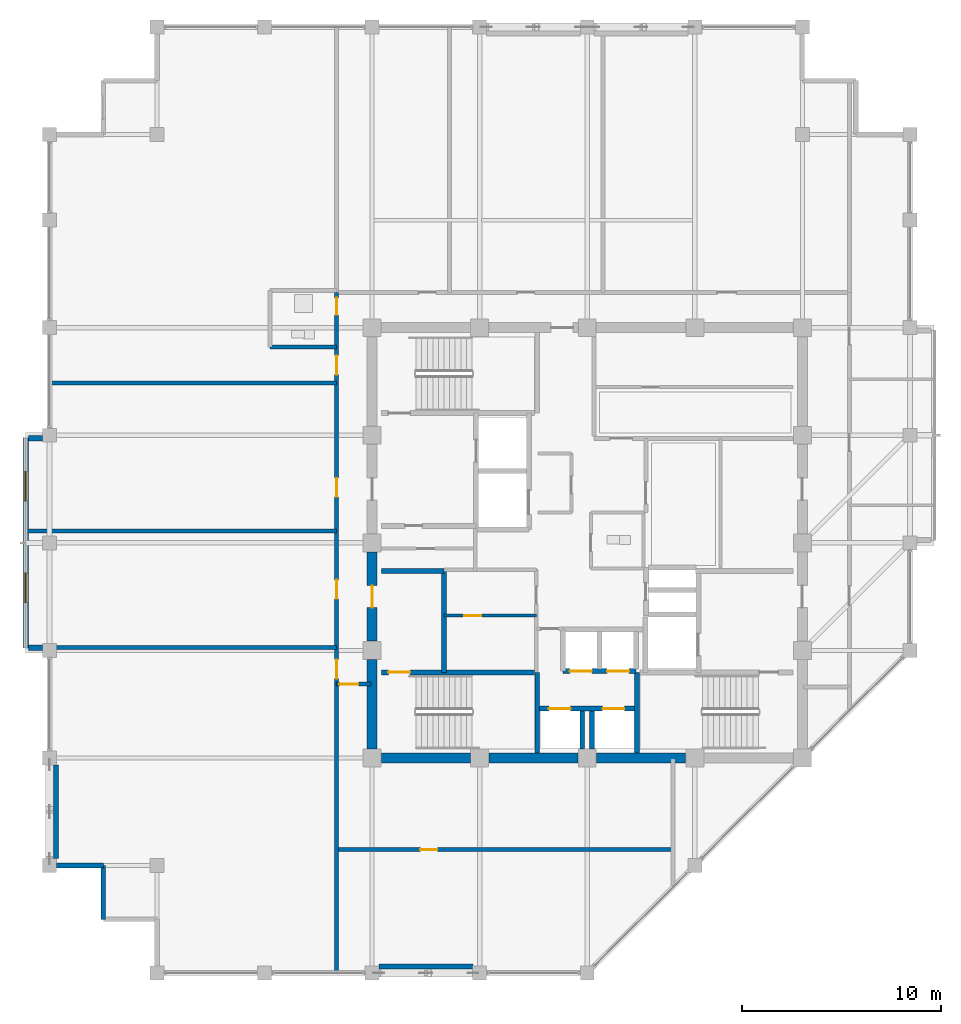
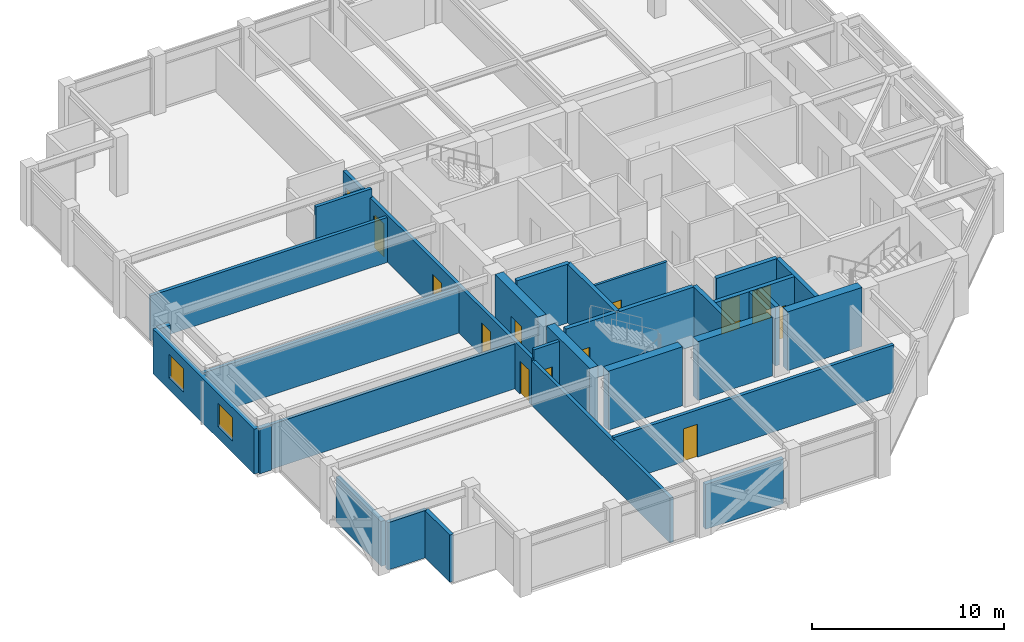
# One storey, part 23 of 29: 30 walls, 14 doors, 2 windows, 16 openings.
"""IFC4 building model written with IfcOpenShell, lengths in metres."""

import ifcopenshell
import ifcopenshell.guid

model = None  # the IFC model being written
_history = None  # IfcOwnerHistory: only IFC2X3 demands one
_inside = {}  # id of a spatial element -> (the spatial element, [elements in it])
_under = {}  # id of a project, library or spatial element -> (it, [spatial elements below it])
_declared = {}  # id of a project -> (the project, [libraries it declares])
_typed = {}  # id of a type object -> (the type object, [elements of that type])
_made_of = {}  # id of a material, layer set ... -> (it, [elements and type objects made of it])


def new_model(schema):
    """Start an empty IFC model of exactly this schema.

    Asked for "IFC4X3", IfcOpenShell would pick the latest addendum, in which some entities
    have other attributes; the version numbers below select the first issue.
    IFC2X3 requires an IfcOwnerHistory on every rooted entity: one is made here for all.
    """
    global model, _history
    if schema == "IFC4X3":
        model = ifcopenshell.file(schema_version=(4, 3, 0, 0))
    else:
        model = ifcopenshell.file(schema=schema)
    _inside.clear()
    _under.clear()
    _declared.clear()
    _typed.clear()
    _made_of.clear()
    _history = None
    if model.schema == "IFC2X3":
        org = make("IfcOrganization", Name="unknown")
        user = make(
            "IfcPersonAndOrganization",
            ThePerson=make("IfcPerson", FamilyName="unknown"),
            TheOrganization=org,
        )
        app = make(
            "IfcApplication",
            ApplicationDeveloper=org,
            Version="unknown",
            ApplicationFullName="unknown",
            ApplicationIdentifier="unknown",
        )
        _history = make(
            "IfcOwnerHistory",
            OwningUser=user,
            OwningApplication=app,
            ChangeAction="ADDED",
            CreationDate=0,
        )
    return model


def make(cls, **values):
    """One entity of the class cls with the attributes given. An attribute that is None is left unset."""
    return model.create_entity(
        cls, **{name: value for name, value in values.items() if value is not None}
    )


def rooted(cls, **values):
    """An entity with a GlobalId (a new one), such as an element, a storey or a relation."""
    return make(cls, GlobalId=ifcopenshell.guid.new(), OwnerHistory=_history, **values)


def si_unit(unit_type, name, prefix=None):
    """IfcSIUnit, for example si_unit("LENGTHUNIT", "METRE", prefix="MILLI")."""
    return make("IfcSIUnit", UnitType=unit_type, Prefix=prefix, Name=name)


def assignment(units):
    """IfcUnitAssignment: the units of a project."""
    return None if units is None else make("IfcUnitAssignment", Units=units)


def point(xyz):
    """IfcCartesianPoint."""
    return None if xyz is None else make("IfcCartesianPoint", Coordinates=xyz)


def direction(xyz):
    """IfcDirection."""
    return None if xyz is None else make("IfcDirection", DirectionRatios=xyz)


def frame(location, z_axis=None, x_axis=None):
    """IfcAxis2Placement3D, a coordinate frame: its origin and axes. An axis left out is left unset."""
    return make(
        "IfcAxis2Placement3D",
        Location=point(location),
        Axis=direction(z_axis),
        RefDirection=direction(x_axis),
    )


def frame_2d(location, x_axis=None):
    """IfcAxis2Placement2D, a coordinate frame in the plane: its origin and x axis."""
    return make(
        "IfcAxis2Placement2D", Location=point(location), RefDirection=direction(x_axis)
    )


def origin():
    """The frame at (0, 0, 0) with its axes left unset."""
    return frame((0.0, 0.0, 0.0))


def place(relative_to, where):
    """IfcLocalPlacement: puts the frame where relative to a parent placement (None: the world)."""
    return make(
        "IfcLocalPlacement", PlacementRelTo=relative_to, RelativePlacement=where
    )


def context(
    kind, dimensions, precision=None, world=None, true_north=None, identifier=None
):
    """IfcGeometricRepresentationContext, for example the 3D "Model" context."""
    return make(
        "IfcGeometricRepresentationContext",
        ContextIdentifier=identifier,
        ContextType=kind,
        CoordinateSpaceDimension=dimensions,
        Precision=precision,
        WorldCoordinateSystem=world,
        TrueNorth=true_north,
    )


def subcontext(parent, identifier, kind, view, scale=None):
    """IfcGeometricRepresentationSubContext, for example "Body" below "Model"."""
    return make(
        "IfcGeometricRepresentationSubContext",
        ContextIdentifier=identifier,
        ContextType=kind,
        ParentContext=parent,
        TargetScale=scale,
        TargetView=view,
    )


def project(units=None, contexts=None):
    """IfcProject with its units and contexts."""
    return rooted(
        "IfcProject",
        Name="project",
        RepresentationContexts=contexts,
        UnitsInContext=assignment(units),
    )


def spatial(cls, under=None, at=None, **own):
    """A site, building, storey or space (cls), placed at a placement, below another one or the project."""
    s = rooted(cls, ObjectPlacement=at, **own)
    if under is not None:
        _under.setdefault(under.id(), (under, []))[1].append(s)
    return s


def profile(cls, at=None, kind="AREA", **sizes):
    """A parametric profile (cls). Its sizes go by their IFC names, for example OverallWidth=200.0."""
    return make(cls, ProfileType=kind, Position=at, **sizes)


def rectangle(**sizes):
    """IfcRectangleProfileDef."""
    return profile("IfcRectangleProfileDef", **sizes)


def extrude(swept, where, along, depth):
    """IfcExtrudedAreaSolid: the profile swept, set in the frame where, extruded along a direction by depth."""
    return make(
        "IfcExtrudedAreaSolid",
        SweptArea=swept,
        Position=where,
        ExtrudedDirection=direction(along),
        Depth=depth,
    )


def shape(context_of_items, identifier, shape_type, items):
    """IfcShapeRepresentation: the items that make up one representation, for example the "Body"."""
    return make(
        "IfcShapeRepresentation",
        ContextOfItems=context_of_items,
        RepresentationIdentifier=identifier,
        RepresentationType=shape_type,
        Items=items,
    )


def material(Name=None, Category=None):
    """IfcMaterial."""
    return make("IfcMaterial", Name=Name, Category=Category)


def layer(
    of_material, thickness, ventilated=None, Name=None, Category=None, Priority=None
):
    """IfcMaterialLayer: one layer of a wall or slab, of a material (None: an air gap)."""
    return make(
        "IfcMaterialLayer",
        Material=of_material,
        LayerThickness=thickness,
        IsVentilated=ventilated,
        Name=Name,
        Category=Category,
        Priority=Priority,
    )


def layer_set(layers, Name=None):
    """IfcMaterialLayerSet."""
    return make("IfcMaterialLayerSet", MaterialLayers=layers, LayerSetName=Name)


def made_of(thing, what):
    """Note that an element or type object is made of a material, layer set ...; save() writes the relation."""
    if what is not None:
        _made_of.setdefault(what.id(), (what, []))[1].append(thing)
    return thing


def type_object(cls, material=None, **own):
    """A type object (cls), such as IfcWallType, which elements share."""
    return made_of(rooted(cls, **own), material)


def element(
    cls,
    number,
    at=None,
    inside=None,
    cuts=None,
    type_object=None,
    material=None,
    context=None,
    identifier="Body",
    shape_type=None,
    held_by="IfcProductDefinitionShape",
    body=None,
    shapes=None,
    **own,
):
    """One element of the class cls, such as IfcWall. Its Tag is "e" and its number.

    at: its placement. inside: the storey or other place that contains it. cuts: it is an
    opening in that element (IfcRelVoidsElement). A single representation is given by context,
    identifier, shape_type and body (its items); several are given by shapes. held_by: the class
    of the entity that holds the representations. save() writes the other relations.
    """
    e = rooted(cls, Tag="e%d" % number, ObjectPlacement=at, **own)
    if body is not None:
        shapes = [shape(context, identifier, shape_type, body)]
    if shapes is not None:
        e.Representation = make(held_by, Representations=shapes)
    if inside is not None:
        _inside.setdefault(inside.id(), (inside, []))[1].append(e)
    if cuts is not None:
        rooted(
            "IfcRelVoidsElement", RelatingBuildingElement=cuts, RelatedOpeningElement=e
        )
    if type_object is not None:
        _typed.setdefault(type_object.id(), (type_object, []))[1].append(e)
    return made_of(e, material)


def fill(opening, filler):
    """IfcRelFillsElement: the door or window that sits in an opening."""
    return rooted(
        "IfcRelFillsElement",
        RelatingOpeningElement=opening,
        RelatedBuildingElement=filler,
    )


def aggregate(whole, parts):
    """IfcRelAggregates: a whole, such as a stair, and the parts it consists of."""
    return rooted("IfcRelAggregates", RelatingObject=whole, RelatedObjects=parts)


def save(model, path):
    """Write the relations noted so far, then the file.

    IfcRelAggregates (storeys below a building ...), IfcRelContainedInSpatialStructure (elements
    in a storey), IfcRelDefinesByType, IfcRelAssociatesMaterial and IfcRelDeclares: one each for
    every whole, place, type object, material and project.
    """
    for whole, parts in _under.values():
        aggregate(whole, parts)
    for where, things in _inside.values():
        rooted(
            "IfcRelContainedInSpatialStructure",
            RelatedElements=things,
            RelatingStructure=where,
        )
    for kind, things in _typed.values():
        rooted("IfcRelDefinesByType", RelatedObjects=things, RelatingType=kind)
    for what, things in _made_of.values():
        rooted("IfcRelAssociatesMaterial", RelatedObjects=things, RelatingMaterial=what)
    for by, libraries in _declared.values():
        rooted("IfcRelDeclares", RelatingContext=by, RelatedDefinitions=libraries)
    model.write(path)


model = new_model("IFC4")

# Units and contexts
model_context = context("Model", 3, precision=1e-05, world=origin(), true_north=direction((0.0, 1.0)))
body_context = subcontext(model_context, "Body", "Model", "MODEL_VIEW")
ifc_project = project(units=[si_unit("LENGTHUNIT", "METRE"), si_unit("AREAUNIT", "SQUARE_METRE"), si_unit("VOLUMEUNIT", "CUBIC_METRE"), si_unit("PLANEANGLEUNIT", "RADIAN"), si_unit("MASSUNIT", "GRAM", prefix="KILO")], contexts=[model_context])

# Site, building, storey
site_placement = place(None, origin())
site = spatial("IfcSite", under=ifc_project, at=site_placement, CompositionType="ELEMENT")
building_placement = place(site_placement, origin())
building = spatial("IfcBuilding", under=site, at=building_placement, Name="Surkhivell Harbour Commons", CompositionType="ELEMENT")
storey_placement = place(building_placement, frame((0.0, 0.0, 273.75)))
storey = spatial("IfcBuildingStorey", under=building, at=storey_placement, Name="L71", CompositionType="ELEMENT", Elevation=273.75)

# Walls
ifc_material_1 = material(Name="Concrete C50/60", Category="concrete")
ifc_layer_1 = layer(ifc_material_1, 0.5)
ifc_layer_set_1 = layer_set([ifc_layer_1], Name="Concrete C50/60")
wall_type_1 = type_object("IfcWallType", Name="WAL-CORE-500", PredefinedType="SHEAR", material=ifc_layer_set_1)
for number, where, z_axis, x_axis, name in (
    (1, (-10.340087890625, -10.800048828125, 0.0), (0.0, 0.0, 1.0), (1.0, 0.0, 0.0), "L71 Core Shear Wall South 1"),
    (2, (-10.800048828125, -10.340087890625, 0.0), (0.0, 0.0, 1.0), (0.0, 1.0, 0.0), "L71 Core Shear Wall West 1"),
    (3, (-4.93994140625, -10.800048828125, 0.0), (0.0, 0.0, 1.0), (1.0, 0.0, 0.0), "L71 Core Shear Wall South 2"),
):
    element("IfcWall", number, at=place(storey_placement, frame(where, z_axis=z_axis, x_axis=x_axis)), inside=storey, type_object=wall_type_1, Name=name, PredefinedType="SHEAR", context=body_context, shape_type="SweptSolid", body=[
        extrude(rectangle(XDim=4.47998046875, YDim=0.5, at=frame_2d((2.239990234375, 0.0))), origin(), (0.0, 0.0, 1.0), 3.75),
    ])

# Wall, opening, door
wall_1_placement = place(storey_placement, frame((-10.800048828125, -4.93994140625, 0.0), z_axis=(0.0, 0.0, 1.0), x_axis=(0.0, 1.0, 0.0)))
wall_1 = element("IfcWall", 4, at=wall_1_placement, inside=storey, type_object=wall_type_1, Name="L71 Core Shear Wall West 2", PredefinedType="SHEAR", context=body_context, shape_type="SweptSolid", body=[
    extrude(rectangle(XDim=4.47998046875, YDim=0.5, at=frame_2d((2.239990234375, 0.0))), origin(), (0.0, 0.0, 1.0), 3.75),
])
opening_1_placement = place(wall_1_placement, frame((1.68994140625, 0.0, 0.0)))
opening_1 = element("IfcOpeningElement", 5, at=opening_1_placement, cuts=wall_1, Name="Opening ID-2", PredefinedType="OPENING", context=body_context, shape_type="SweptSolid", body=[
    extrude(rectangle(XDim=1.10009765625, YDim=2.10009765625, at=frame_2d((0.550048828125, 1.050048828125))), frame((0.0, 0.260009765625, 0.0), z_axis=(0.0, -1.0, 0.0), x_axis=(1.0, 0.0, 0.0)), (0.0, 0.0, 1.0), 0.52001953125),
])
ifc_material_2 = material(Name="Hardwood-veneered fire-rated door leaf", Category="wood")
door_type_1 = type_object("IfcDoorType", Name="DOR-FD60-1100", OperationType="NOTDEFINED", PredefinedType="DOOR", material=ifc_material_2)
door_1_placement = place(opening_1_placement, origin())
door_1 = element("IfcDoor", 6, at=door_1_placement, inside=storey, type_object=door_type_1, Name="L71 Stair 3 Lobby Corridor Door", OperationType="SINGLE_SWING_LEFT", OverallHeight=2.10009765625, OverallWidth=1.10009765625, PredefinedType="DOOR", context=body_context, shape_type="SweptSolid", body=[
    extrude(rectangle(XDim=1.10009765625, YDim=2.10009765625, at=frame_2d((0.550048828125, 1.050048828125))), frame((0.0, 0.02490234375, 0.0), z_axis=(0.0, -1.0, 0.0), x_axis=(1.0, 0.0, 0.0)), (0.0, 0.0, 1.0), 0.050048828125),
])
fill(opening_1, door_1)

# Walls
wall_2_placement = place(storey_placement, frame((0.4599609375, -10.800048828125, 0.0), z_axis=(0.0, 0.0, 1.0), x_axis=(1.0, 0.0, 0.0)))
element("IfcWall", 7, at=wall_2_placement, inside=storey, type_object=wall_type_1, Name="L71 Core Shear Wall South 3", PredefinedType="SHEAR", context=body_context, shape_type="SweptSolid", body=[
    extrude(rectangle(XDim=4.47998046875, YDim=0.5, at=frame_2d((2.239990234375, 0.0))), origin(), (0.0, 0.0, 1.0), 3.75),
])
ifc_material_3 = material(Name="Pale-metal insulated precast concrete C45/55", Category="concrete")
ifc_layer_2 = layer(ifc_material_3, 0.260009765625)
ifc_layer_set_2 = layer_set([ifc_layer_2], Name="Pale-metal insulated precast concrete C45/55")
wall_type_2 = type_object("IfcWallType", Name="WAL-EXT-MTL260", PredefinedType="STANDARD", material=ifc_layer_set_2)
wall_3_placement = place(storey_placement, frame((-10.451904296875, -21.264892578125, 0.0), z_axis=(0.0, 0.0, 1.0), x_axis=(1.0, 0.0, 0.0)))
element("IfcWall", 8, at=wall_3_placement, inside=storey, type_object=wall_type_2, Name="L71 Braced-Bay Insulated Spandrel Backing S", PredefinedType="STANDARD", context=body_context, shape_type="SweptSolid", body=[
    extrude(rectangle(XDim=4.703857421875, YDim=0.260009765625, at=frame_2d((2.35205078125, 0.0))), origin(), (0.0, 0.0, 1.0), 2.85693359375),
])
wall_4_placement = place(storey_placement, frame((-26.6650390625, -15.85205078125, 0.0), z_axis=(0.0, 0.0, 1.0), x_axis=(0.0, 1.0, 0.0)))
element("IfcWall", 9, at=wall_4_placement, inside=storey, type_object=wall_type_2, Name="L71 Braced-Bay Insulated Spandrel Backing W", PredefinedType="STANDARD", context=body_context, shape_type="SweptSolid", body=[
    extrude(rectangle(XDim=4.7041015625, YDim=0.260009765625, at=frame_2d((2.35205078125, 0.0))), origin(), (0.0, 0.0, 1.0), 2.85693359375),
])
ifc_material_4 = material(Name="Bronze-ochre cassette precast concrete C45/55", Category="concrete")
ifc_layer_3 = layer(ifc_material_4, 0.239990234375)
ifc_layer_set_3 = layer_set([ifc_layer_3], Name="Bronze-ochre cassette precast concrete C45/55")
wall_type_3 = type_object("IfcWallType", Name="WAL-EXT-OCH240", PredefinedType="STANDARD", material=ifc_layer_set_3)
wall_5_placement = place(storey_placement, frame((-26.652099609375, -16.199951171875, 0.0), z_axis=(0.0, 0.0, 1.0), x_axis=(1.0, 0.0, 0.0)))
element("IfcWall", 10, at=wall_5_placement, inside=storey, type_object=wall_type_3, Name="L71 Serrated Corner Facade Wall 13", PredefinedType="STANDARD", context=body_context, shape_type="SweptSolid", body=[
    extrude(rectangle(XDim=2.35205078125, YDim=0.239990234375, at=frame_2d((1.176025390625, 0.0))), origin(), (0.0, 0.0, 1.0), 3.012939453125),
])
wall_6_placement = place(storey_placement, frame((-24.300048828125, -16.199951171875, 0.0), z_axis=(0.0, 0.0, 1.0), x_axis=(0.0, -1.0, 0.0)))
element("IfcWall", 11, at=wall_6_placement, inside=storey, type_object=wall_type_3, Name="L71 Serrated Corner Facade Wall 14", PredefinedType="STANDARD", context=body_context, shape_type="SweptSolid", body=[
    extrude(rectangle(XDim=2.699951171875, YDim=0.239990234375, at=frame_2d((1.35009765625, 0.0))), origin(), (0.0, 0.0, 1.0), 3.012939453125),
])

# Wall, openings, windows
ifc_material_5 = material(Name="Terracotta-clad reinforced concrete C45/55", Category="masonry")
ifc_layer_4 = layer(ifc_material_5, 0.280029296875)
ifc_layer_set_4 = layer_set([ifc_layer_4], Name="Terracotta-clad reinforced concrete C45/55")
wall_type_4 = type_object("IfcWallType", Name="WAL-EXT-TER280", PredefinedType="STANDARD", material=ifc_layer_set_4)
wall_7_placement = place(storey_placement, frame((-28.199951171875, 5.280029296875, 0.0), z_axis=(0.0, 0.0, 1.0), x_axis=(0.0, -1.0, 0.0)))
wall_7 = element("IfcWall", 12, at=wall_7_placement, inside=storey, type_object=wall_type_4, Name="L71 Coloured Box Front Wall 02", PredefinedType="STANDARD", context=body_context, shape_type="SweptSolid", body=[
    extrude(rectangle(XDim=10.56005859375, YDim=0.280029296875, at=frame_2d((5.280029296875, 0.0))), origin(), (0.0, 0.0, 1.0), 2.85693359375),
])
opening_2_placement = place(wall_7_placement, frame((1.68505859375, 0.0, 0.75)))
opening_2 = element("IfcOpeningElement", 13, at=opening_2_placement, cuts=wall_7, Name="Opening WN-13", PredefinedType="OPENING", context=body_context, shape_type="SweptSolid", body=[
    extrude(rectangle(XDim=1.5, YDim=1.5, at=frame_2d((0.75, 0.75))), frame((0.0, 0.14990234375, 0.0), z_axis=(0.0, -1.0, 0.0), x_axis=(1.0, 0.0, 0.0)), (0.0, 0.0, 1.0), 0.300048828125),
])
opening_3_placement = place(wall_7_placement, frame((6.784912109375, 0.0, 0.75)))
opening_3 = element("IfcOpeningElement", 14, at=opening_3_placement, cuts=wall_7, Name="Opening WN-13", PredefinedType="OPENING", context=body_context, shape_type="SweptSolid", body=[
    extrude(rectangle(XDim=1.5, YDim=1.5, at=frame_2d((0.75, 0.75))), frame((0.0, 0.14990234375, 0.0), z_axis=(0.0, -1.0, 0.0), x_axis=(1.0, 0.0, 0.0)), (0.0, 0.0, 1.0), 0.300048828125),
])
ifc_material_6 = material(Name="Thermal-break aluminium frame and double low-E glazing", Category="aluminium")
window_type = type_object("IfcWindowType", Name="WIN-BOX-1500x1500", PartitioningType="SINGLE_PANEL", PredefinedType="WINDOW", material=ifc_material_6)
window_1_placement = place(opening_2_placement, origin())
window_1 = element("IfcWindow", 15, at=window_1_placement, inside=storey, type_object=window_type, Name="L71 Coloured Box Square Window 02-1", OverallHeight=1.5, OverallWidth=1.5, PartitioningType="SINGLE_PANEL", PredefinedType="WINDOW", context=body_context, shape_type="SweptSolid", body=[
    extrude(rectangle(XDim=1.5, YDim=1.5, at=frame_2d((0.75, 0.75))), frame((0.0, 0.030029296875, 0.0), z_axis=(0.0, -1.0, 0.0), x_axis=(1.0, 0.0, 0.0)), (0.0, 0.0, 1.0), 0.06005859375),
])
fill(opening_2, window_1)
window_2_placement = place(opening_3_placement, origin())
window_2 = element("IfcWindow", 16, at=window_2_placement, inside=storey, type_object=window_type, Name="L71 Coloured Box Square Window 02-2", OverallHeight=1.5, OverallWidth=1.5, PartitioningType="SINGLE_PANEL", PredefinedType="WINDOW", context=body_context, shape_type="SweptSolid", body=[
    extrude(rectangle(XDim=1.5, YDim=1.5, at=frame_2d((0.75, 0.75))), frame((0.0, 0.030029296875, 0.0), z_axis=(0.0, -1.0, 0.0), x_axis=(1.0, 0.0, 0.0)), (0.0, 0.0, 1.0), 0.06005859375),
])
fill(opening_3, window_2)

# Walls
for number, where, z_axis, x_axis, name in (
    (17, (-28.06005859375, -5.260009765625, 0.0), (0.0, 0.0, 1.0), (1.0, 0.0, 0.0), "L71 Coloured Box Return Wall 02S"),
    (18, (-28.06005859375, 5.260009765625, 0.0), (0.0, 0.0, 1.0), (1.0, 0.0, 0.0), "L71 Coloured Box Return Wall 02N"),
):
    element("IfcWall", number, at=place(storey_placement, frame(where, z_axis=z_axis, x_axis=x_axis)), inside=storey, type_object=wall_type_4, Name=name, PredefinedType="STANDARD", context=body_context, shape_type="SweptSolid", body=[
        extrude(rectangle(XDim=0.7060546875, YDim=0.280029296875, at=frame_2d((0.35302734375, 0.0))), origin(), (0.0, 0.0, 1.0), 2.85693359375),
    ])

# Wall, opening, door
ifc_material_7 = material(Name="Twin-stud acoustic fireboard partition", Category="other")
ifc_layer_5 = layer(ifc_material_7, 0.14990234375)
ifc_layer_set_5 = layer_set([ifc_layer_5], Name="Twin-stud acoustic fireboard partition")
wall_type_5 = type_object("IfcWallType", Name="WAL-INT-150", PredefinedType="PARTITIONING", material=ifc_layer_set_5)
wall_8_placement = place(storey_placement, frame((-7.179931640625, -3.64990234375, 0.0), z_axis=(0.0, 0.0, 1.0), x_axis=(1.0, 0.0, 0.0)))
wall_8 = element("IfcWall", 19, at=wall_8_placement, inside=storey, type_object=wall_type_5, Name="L71 Core Cut C1 Partition", PredefinedType="PARTITIONING", context=body_context, shape_type="SweptSolid", body=[
    extrude(rectangle(XDim=4.6298828125, YDim=0.14990234375, at=frame_2d((2.31494140625, 0.0))), origin(), (0.0, 0.0, 1.0), 3.570068359375),
])
opening_4_placement = place(wall_8_placement, frame((1.0, 0.0, 0.0)))
opening_4 = element("IfcOpeningElement", 20, at=opening_4_placement, cuts=wall_8, Name="Opening ID-6", PredefinedType="OPENING", context=body_context, shape_type="SweptSolid", body=[
    extrude(rectangle(XDim=0.85009765625, YDim=2.10009765625, at=frame_2d((0.425048828125, 1.050048828125))), frame((0.0, 0.0849609375, 0.0), z_axis=(0.0, -1.0, 0.0), x_axis=(1.0, 0.0, 0.0)), (0.0, 0.0, 1.0), 0.169921875),
])
door_type_2 = type_object("IfcDoorType", Name="DOR-FD30-850", OperationType="NOTDEFINED", PredefinedType="DOOR", material=ifc_material_2)
door_2_placement = place(opening_4_placement, origin())
door_2 = element("IfcDoor", 21, at=door_2_placement, inside=storey, type_object=door_type_2, Name="L71 Cleaner Room Door", OperationType="SINGLE_SWING_LEFT", OverallHeight=2.10009765625, OverallWidth=0.85009765625, PredefinedType="DOOR", context=body_context, shape_type="SweptSolid", body=[
    extrude(rectangle(XDim=0.85009765625, YDim=2.10009765625, at=frame_2d((0.425048828125, 1.050048828125))), frame((0.0, 0.02490234375, 0.0), z_axis=(0.0, -1.0, 0.0), x_axis=(1.0, 0.0, 0.0)), (0.0, 0.0, 1.0), 0.050048828125),
])
fill(opening_4, door_2)

ifc_material_8 = material(Name="Autoclaved aerated concrete blockwork and fire plaster", Category="masonry")
ifc_layer_6 = layer(ifc_material_8, 0.199951171875)
ifc_layer_set_6 = layer_set([ifc_layer_6], Name="Autoclaved aerated concrete blockwork and fire plaster")
wall_type_6 = type_object("IfcWallType", Name="WAL-INT-200", PredefinedType="PARTITIONING", material=ifc_layer_set_6)
wall_9_placement = place(storey_placement, frame((-12.580078125, -15.39990234375, 0.0), z_axis=(0.0, 0.0, 1.0), x_axis=(1.0, 0.0, 0.0)))
wall_9 = element("IfcWall", 22, at=wall_9_placement, inside=storey, type_object=wall_type_6, Name="L71 South Wing Horizontal Partition", PredefinedType="PARTITIONING", context=body_context, shape_type="SweptSolid", body=[
    extrude(rectangle(XDim=16.880126953125, YDim=0.199951171875, at=frame_2d((8.43994140625, 0.0))), origin(), (0.0, 0.0, 1.0), 3.012939453125),
])
opening_5_placement = place(wall_9_placement, frame((4.199951171875, 0.0, 0.0)))
opening_5 = element("IfcOpeningElement", 23, at=opening_5_placement, cuts=wall_9, Name="Opening ID-6", PredefinedType="OPENING", context=body_context, shape_type="SweptSolid", body=[
    extrude(rectangle(XDim=0.85009765625, YDim=2.10009765625, at=frame_2d((0.425048828125, 1.050048828125))), frame((0.0, 0.10986328125, 0.0), z_axis=(0.0, -1.0, 0.0), x_axis=(1.0, 0.0, 0.0)), (0.0, 0.0, 1.0), 0.219970703125),
])
door_3_placement = place(opening_5_placement, origin())
door_3 = element("IfcDoor", 24, at=door_3_placement, inside=storey, type_object=door_type_2, Name="L71 South Music Door", OperationType="SINGLE_SWING_RIGHT", OverallHeight=2.10009765625, OverallWidth=0.85009765625, PredefinedType="DOOR", context=body_context, shape_type="SweptSolid", body=[
    extrude(rectangle(XDim=0.85009765625, YDim=2.10009765625, at=frame_2d((0.425048828125, 1.050048828125))), frame((0.0, 0.02490234375, 0.0), z_axis=(0.0, -1.0, 0.0), x_axis=(1.0, 0.0, 0.0)), (0.0, 0.0, 1.0), 0.050048828125),
])
fill(opening_5, door_3)

# Wall
wall_10_placement = place(storey_placement, frame((-12.580078125, -21.5400390625, 0.0), z_axis=(0.0, 0.0, 1.0), x_axis=(0.0, 1.0, 0.0)))
element("IfcWall", 25, at=wall_10_placement, inside=storey, type_object=wall_type_6, Name="L71 South Hall West Divider", PredefinedType="PARTITIONING", context=body_context, shape_type="SweptSolid", body=[
    extrude(rectangle(XDim=14.43994140625, YDim=0.199951171875, at=frame_2d((7.219970703125, 0.0))), origin(), (0.0, 0.0, 1.0), 2.85693359375),
])

# Wall, openings, doors
wall_11_placement = place(storey_placement, frame((-12.580078125, -7.10009765625, 0.0), z_axis=(0.0, 0.0, 1.0), x_axis=(0.0, 1.0, 0.0)))
wall_11 = element("IfcWall", 26, at=wall_11_placement, inside=storey, type_object=wall_type_6, Name="L71 West Corridor Wall", PredefinedType="PARTITIONING", context=body_context, shape_type="SweptSolid", body=[
    extrude(rectangle(XDim=19.68017578125, YDim=0.199951171875, at=frame_2d((9.840087890625, 0.0))), origin(), (0.0, 0.0, 1.0), 3.012939453125),
])
opening_6_placement = place(wall_11_placement, frame((0.280029296875, 0.0, 0.0)))
opening_6 = element("IfcOpeningElement", 27, at=opening_6_placement, cuts=wall_11, Name="Opening ID-4", PredefinedType="OPENING", context=body_context, shape_type="SweptSolid", body=[
    extrude(rectangle(XDim=0.949951171875, YDim=2.10009765625, at=frame_2d((0.47509765625, 1.050048828125))), frame((0.0, 0.10986328125, 0.0), z_axis=(0.0, -1.0, 0.0), x_axis=(1.0, 0.0, 0.0)), (0.0, 0.0, 1.0), 0.219970703125),
])
opening_7_placement = place(wall_11_placement, frame((18.550048828125, 0.0, 0.0)))
opening_7 = element("IfcOpeningElement", 28, at=opening_7_placement, cuts=wall_11, Name="Opening ID-6", PredefinedType="OPENING", context=body_context, shape_type="SweptSolid", body=[
    extrude(rectangle(XDim=0.85009765625, YDim=2.10009765625, at=frame_2d((0.425048828125, 1.050048828125))), frame((0.0, 0.10986328125, 0.0), z_axis=(0.0, -1.0, 0.0), x_axis=(1.0, 0.0, 0.0)), (0.0, 0.0, 1.0), 0.219970703125),
])
opening_8_placement = place(wall_11_placement, frame((15.550048828125, 0.0, 0.0)))
opening_8 = element("IfcOpeningElement", 29, at=opening_8_placement, cuts=wall_11, Name="Opening ID-4", PredefinedType="OPENING", context=body_context, shape_type="SweptSolid", body=[
    extrude(rectangle(XDim=0.949951171875, YDim=2.10009765625, at=frame_2d((0.47509765625, 1.050048828125))), frame((0.0, 0.10986328125, 0.0), z_axis=(0.0, -1.0, 0.0), x_axis=(1.0, 0.0, 0.0)), (0.0, 0.0, 1.0), 0.219970703125),
])
opening_9_placement = place(wall_11_placement, frame((4.2900390625, 0.0, 0.0)))
opening_9 = element("IfcOpeningElement", 30, at=opening_9_placement, cuts=wall_11, Name="Opening ID-4", PredefinedType="OPENING", context=body_context, shape_type="SweptSolid", body=[
    extrude(rectangle(XDim=0.949951171875, YDim=2.10009765625, at=frame_2d((0.47509765625, 1.050048828125))), frame((0.0, 0.10986328125, 0.0), z_axis=(0.0, -1.0, 0.0), x_axis=(1.0, 0.0, 0.0)), (0.0, 0.0, 1.0), 0.219970703125),
])
opening_10_placement = place(wall_11_placement, frame((9.4013671875, 0.0, 0.0)))
opening_10 = element("IfcOpeningElement", 31, at=opening_10_placement, cuts=wall_11, Name="Opening ID-4", PredefinedType="OPENING", context=body_context, shape_type="SweptSolid", body=[
    extrude(rectangle(XDim=0.949951171875, YDim=2.10009765625, at=frame_2d((0.47509765625, 1.050048828125))), frame((0.0, 0.10986328125, 0.0), z_axis=(0.0, -1.0, 0.0), x_axis=(1.0, 0.0, 0.0)), (0.0, 0.0, 1.0), 0.219970703125),
])
door_4_placement = place(opening_7_placement, origin())
door_4 = element("IfcDoor", 32, at=door_4_placement, inside=storey, type_object=door_type_2, Name="L71 Communal Shower Bathroom West Door", OperationType="SINGLE_SWING_LEFT", OverallHeight=2.10009765625, OverallWidth=0.85009765625, PredefinedType="DOOR", context=body_context, shape_type="SweptSolid", body=[
    extrude(rectangle(XDim=0.85009765625, YDim=2.10009765625, at=frame_2d((0.425048828125, 1.050048828125))), frame((0.0, 0.02490234375, 0.0), z_axis=(0.0, -1.0, 0.0), x_axis=(1.0, 0.0, 0.0)), (0.0, 0.0, 1.0), 0.050048828125),
])
fill(opening_7, door_4)
door_type_3 = type_object("IfcDoorType", Name="DOR-FD60-950", OperationType="NOTDEFINED", PredefinedType="DOOR", material=ifc_material_2)
door_5_placement = place(opening_6_placement, origin())
door_5 = element("IfcDoor", 33, at=door_5_placement, inside=storey, type_object=door_type_3, Name="L71 Shared Communal Kitchen West Door", OperationType="SINGLE_SWING_RIGHT", OverallHeight=2.10009765625, OverallWidth=0.949951171875, PredefinedType="DOOR", context=body_context, shape_type="SweptSolid", body=[
    extrude(rectangle(XDim=0.949951171875, YDim=2.10009765625, at=frame_2d((0.47509765625, 1.050048828125))), frame((0.0, 0.02490234375, 0.0), z_axis=(0.0, -1.0, 0.0), x_axis=(1.0, 0.0, 0.0)), (0.0, 0.0, 1.0), 0.050048828125),
])
fill(opening_6, door_5)
door_6_placement = place(opening_8_placement, origin())
door_6 = element("IfcDoor", 34, at=door_6_placement, inside=storey, type_object=door_type_3, Name="L71 Academic Reading Commons West Door", OperationType="SINGLE_SWING_RIGHT", OverallHeight=2.10009765625, OverallWidth=0.949951171875, PredefinedType="DOOR", context=body_context, shape_type="SweptSolid", body=[
    extrude(rectangle(XDim=0.949951171875, YDim=2.10009765625, at=frame_2d((0.47509765625, 1.050048828125))), frame((0.0, 0.02490234375, 0.0), z_axis=(0.0, -1.0, 0.0), x_axis=(1.0, 0.0, 0.0)), (0.0, 0.0, 1.0), 0.050048828125),
])
fill(opening_8, door_6)
door_7_placement = place(opening_9_placement, origin())
door_7 = element("IfcDoor", 35, at=door_7_placement, inside=storey, type_object=door_type_3, Name="L71 Hostel Cluster Bedroom 1 West Door", OperationType="SINGLE_SWING_LEFT", OverallHeight=2.10009765625, OverallWidth=0.949951171875, PredefinedType="DOOR", context=body_context, shape_type="SweptSolid", body=[
    extrude(rectangle(XDim=0.949951171875, YDim=2.10009765625, at=frame_2d((0.47509765625, 1.050048828125))), frame((0.0, 0.02490234375, 0.0), z_axis=(0.0, -1.0, 0.0), x_axis=(1.0, 0.0, 0.0)), (0.0, 0.0, 1.0), 0.050048828125),
])
fill(opening_9, door_7)
door_8_placement = place(opening_10_placement, origin())
door_8 = element("IfcDoor", 36, at=door_8_placement, inside=storey, type_object=door_type_3, Name="L71 Co-Living Dormitory Bedroom 2 West Door", OperationType="SINGLE_SWING_RIGHT", OverallHeight=2.10009765625, OverallWidth=0.949951171875, PredefinedType="DOOR", context=body_context, shape_type="SweptSolid", body=[
    extrude(rectangle(XDim=0.949951171875, YDim=2.10009765625, at=frame_2d((0.47509765625, 1.050048828125))), frame((0.0, 0.02490234375, 0.0), z_axis=(0.0, -1.0, 0.0), x_axis=(1.0, 0.0, 0.0)), (0.0, 0.0, 1.0), 0.050048828125),
])
fill(opening_10, door_8)

# Wall, opening, door
wall_12_placement = place(storey_placement, frame((-12.580078125, -7.10009765625, 0.0), z_axis=(0.0, 0.0, 1.0), x_axis=(1.0, 0.0, 0.0)))
wall_12 = element("IfcWall", 37, at=wall_12_placement, inside=storey, type_object=wall_type_6, Name="L71 West Corridor South Portal Wall", PredefinedType="PARTITIONING", context=body_context, shape_type="SweptSolid", body=[
    extrude(rectangle(XDim=1.72998046875, YDim=0.199951171875, at=frame_2d((0.864990234375, 0.0))), origin(), (0.0, 0.0, 1.0), 3.570068359375),
])
opening_11_placement = place(wall_12_placement, frame((0.139892578125, 0.0, 0.0)))
opening_11 = element("IfcOpeningElement", 38, at=opening_11_placement, cuts=wall_12, Name="Opening ID-4", PredefinedType="OPENING", context=body_context, shape_type="SweptSolid", body=[
    extrude(rectangle(XDim=0.949951171875, YDim=2.10009765625, at=frame_2d((0.47509765625, 1.050048828125))), frame((0.0, 0.10986328125, 0.0), z_axis=(0.0, -1.0, 0.0), x_axis=(1.0, 0.0, 0.0)), (0.0, 0.0, 1.0), 0.219970703125),
])
door_9_placement = place(opening_11_placement, origin())
door_9 = element("IfcDoor", 39, at=door_9_placement, inside=storey, type_object=door_type_3, Name="L71 South Dining Door", OperationType="SINGLE_SWING_RIGHT", OverallHeight=2.10009765625, OverallWidth=0.949951171875, PredefinedType="DOOR", context=body_context, shape_type="SweptSolid", body=[
    extrude(rectangle(XDim=0.949951171875, YDim=2.10009765625, at=frame_2d((0.47509765625, 1.050048828125))), frame((0.0, 0.02490234375, 0.0), z_axis=(0.0, -1.0, 0.0), x_axis=(1.0, 0.0, 0.0)), (0.0, 0.0, 1.0), 0.050048828125),
])
fill(opening_11, door_9)

# Walls
wall_13_placement = place(storey_placement, frame((-28.139892578125, 0.590087890625, 0.0), z_axis=(0.0, 0.0, 1.0), x_axis=(1.0, 0.0, 0.0)))
element("IfcWall", 40, at=wall_13_placement, inside=storey, type_object=wall_type_6, Name="L71 West Partition BDP1", PredefinedType="PARTITIONING", context=body_context, shape_type="SweptSolid", body=[
    extrude(rectangle(XDim=15.559814453125, YDim=0.199951171875, at=frame_2d((7.77978515625, 0.0))), origin(), (0.0, 0.0, 1.0), 2.85693359375),
])
wall_14_placement = place(storey_placement, frame((-15.929931640625, 9.830078125, 0.0), z_axis=(0.0, 0.0, 1.0), x_axis=(1.0, 0.0, 0.0)))
element("IfcWall", 41, at=wall_14_placement, inside=storey, type_object=wall_type_6, Name="L71 West Partition BTHS", PredefinedType="PARTITIONING", context=body_context, shape_type="SweptSolid", body=[
    extrude(rectangle(XDim=3.349853515625, YDim=0.199951171875, at=frame_2d((1.6748046875, 0.0))), origin(), (0.0, 0.0, 1.0), 3.570068359375),
])
wall_15_placement = place(storey_placement, frame((-27.35400390625, -5.25, 0.0), z_axis=(0.0, 0.0, 1.0), x_axis=(1.0, 0.0, 0.0)))
element("IfcWall", 42, at=wall_15_placement, inside=storey, type_object=wall_type_6, Name="L71 West Partition PBOT", PredefinedType="PARTITIONING", context=body_context, shape_type="SweptSolid", body=[
    extrude(rectangle(XDim=14.77392578125, YDim=0.199951171875, at=frame_2d((7.386962890625, 0.0))), origin(), (0.0, 0.0, 1.0), 2.85693359375),
])
wall_16_placement = place(storey_placement, frame((-26.93994140625, 8.030029296875, 0.0), z_axis=(0.0, 0.0, 1.0), x_axis=(1.0, 0.0, 0.0)))
element("IfcWall", 43, at=wall_16_placement, inside=storey, type_object=wall_type_6, Name="L71 West Partition PTOP", PredefinedType="PARTITIONING", context=body_context, shape_type="SweptSolid", body=[
    extrude(rectangle(XDim=14.35986328125, YDim=0.199951171875, at=frame_2d((7.179931640625, 0.0))), origin(), (0.0, 0.0, 1.0), 2.85693359375),
])
ifc_layer_7 = layer(ifc_material_1, 0.25)
ifc_layer_set_7 = layer_set([ifc_layer_7], Name="Concrete C50/60")
wall_type_7 = type_object("IfcWallType", Name="WAL-SHAFT-250", PredefinedType="SHEAR", material=ifc_layer_set_7)
for number, where, z_axis, x_axis, name in (
    (44, (-0.25, -10.35009765625, 0.0), (0.0, 0.0, 1.0), (0.0, 1.0, 0.0), "L71 High-Rise Side Wall S"),
    (45, (0.25, -10.35009765625, 0.0), (0.0, 0.0, 1.0), (0.0, 1.0, 0.0), "L71 High-Rise Side Wall S"),
):
    element("IfcWall", number, at=place(storey_placement, frame(where, z_axis=z_axis, x_axis=x_axis)), inside=storey, type_object=wall_type_7, Name=name, PredefinedType="SHEAR", context=body_context, shape_type="SweptSolid", body=[
        extrude(rectangle(XDim=1.91015625, YDim=0.25, at=frame_2d((0.955078125, 0.0))), origin(), (0.0, 0.0, 1.0), 3.75),
    ])

# Wall, openings, doors
wall_17_placement = place(storey_placement, frame((-1.219970703125, -6.43994140625, 0.0), z_axis=(0.0, 0.0, 1.0), x_axis=(1.0, 0.0, 0.0)))
wall_17 = element("IfcWall", 46, at=wall_17_placement, inside=storey, type_object=wall_type_7, Name="L71 High-Rise North Front Shaft Wall", PredefinedType="SHEAR", context=body_context, shape_type="SweptSolid", body=[
    extrude(rectangle(XDim=3.669921875, YDim=0.25, at=frame_2d((1.8349609375, 0.0))), origin(), (0.0, 0.0, 1.0), 3.75),
])
opening_12_placement = place(wall_17_placement, frame((0.35009765625, 0.0, 0.0)))
opening_12 = element("IfcOpeningElement", 47, at=opening_12_placement, cuts=wall_17, Name="Opening LD-1", PredefinedType="OPENING", context=body_context, shape_type="SweptSolid", body=[
    extrude(rectangle(XDim=1.10009765625, YDim=2.10009765625, at=frame_2d((0.550048828125, 1.050048828125))), frame((0.0, 0.135009765625, 0.0), z_axis=(0.0, -1.0, 0.0), x_axis=(1.0, 0.0, 0.0)), (0.0, 0.0, 1.0), 0.27001953125),
])
opening_13_placement = place(wall_17_placement, frame((2.219970703125, 0.0, 0.0)))
opening_13 = element("IfcOpeningElement", 48, at=opening_13_placement, cuts=wall_17, Name="Opening LD-1", PredefinedType="OPENING", context=body_context, shape_type="SweptSolid", body=[
    extrude(rectangle(XDim=1.10009765625, YDim=2.10009765625, at=frame_2d((0.550048828125, 1.050048828125))), frame((0.0, 0.135009765625, 0.0), z_axis=(0.0, -1.0, 0.0), x_axis=(1.0, 0.0, 0.0)), (0.0, 0.0, 1.0), 0.27001953125),
])
ifc_material_9 = material(Name="Brushed stainless steel S355", Category="steel")
door_type_4 = type_object("IfcDoorType", Name="DOR-LD-1100", OperationType="SLIDING_TO_LEFT", PredefinedType="DOOR", material=ifc_material_9)
door_10_placement = place(opening_12_placement, origin())
door_10 = element("IfcDoor", 49, at=door_10_placement, inside=storey, type_object=door_type_4, Name="L71 Lift Landing Door LD-PH1", OperationType="SLIDING_TO_LEFT", OverallHeight=2.10009765625, OverallWidth=1.10009765625, PredefinedType="DOOR", context=body_context, shape_type="SweptSolid", body=[
    extrude(rectangle(XDim=1.10009765625, YDim=2.10009765625, at=frame_2d((0.550048828125, 1.050048828125))), frame((0.0, 0.02490234375, 0.0), z_axis=(0.0, -1.0, 0.0), x_axis=(1.0, 0.0, 0.0)), (0.0, 0.0, 1.0), 0.050048828125),
])
fill(opening_12, door_10)
door_11_placement = place(opening_13_placement, origin())
door_11 = element("IfcDoor", 50, at=door_11_placement, inside=storey, type_object=door_type_4, Name="L71 Lift Landing Door LD-PH2", OperationType="SLIDING_TO_LEFT", OverallHeight=2.10009765625, OverallWidth=1.10009765625, PredefinedType="DOOR", context=body_context, shape_type="SweptSolid", body=[
    extrude(rectangle(XDim=1.10009765625, YDim=2.10009765625, at=frame_2d((0.550048828125, 1.050048828125))), frame((0.0, 0.02490234375, 0.0), z_axis=(0.0, -1.0, 0.0), x_axis=(1.0, 0.0, 0.0)), (0.0, 0.0, 1.0), 0.050048828125),
])
fill(opening_13, door_11)

wall_18_placement = place(storey_placement, frame((-2.47998046875, -8.320068359375, 0.0), z_axis=(0.0, 0.0, 1.0), x_axis=(1.0, 0.0, 0.0)))
wall_18 = element("IfcWall", 51, at=wall_18_placement, inside=storey, type_object=wall_type_7, Name="L71 High-Rise South Front Shaft Wall", PredefinedType="SHEAR", context=body_context, shape_type="SweptSolid", body=[
    extrude(rectangle(XDim=4.929931640625, YDim=0.25, at=frame_2d((2.46484375, 0.0))), origin(), (0.0, 0.0, 1.0), 3.75),
])
opening_14_placement = place(wall_18_placement, frame((0.550048828125, 0.0, 0.0)))
opening_14 = element("IfcOpeningElement", 52, at=opening_14_placement, cuts=wall_18, Name="Opening LD-1", PredefinedType="OPENING", context=body_context, shape_type="SweptSolid", body=[
    extrude(rectangle(XDim=1.10009765625, YDim=2.10009765625, at=frame_2d((0.550048828125, 1.050048828125))), frame((0.0, 0.135009765625, 0.0), z_axis=(0.0, -1.0, 0.0), x_axis=(1.0, 0.0, 0.0)), (0.0, 0.0, 1.0), 0.27001953125),
])
opening_15_placement = place(wall_18_placement, frame((3.25, 0.0, 0.0)))
opening_15 = element("IfcOpeningElement", 53, at=opening_15_placement, cuts=wall_18, Name="Opening LD-1", PredefinedType="OPENING", context=body_context, shape_type="SweptSolid", body=[
    extrude(rectangle(XDim=1.10009765625, YDim=2.10009765625, at=frame_2d((0.550048828125, 1.050048828125))), frame((0.0, 0.135009765625, 0.0), z_axis=(0.0, -1.0, 0.0), x_axis=(1.0, 0.0, 0.0)), (0.0, 0.0, 1.0), 0.27001953125),
])
door_12_placement = place(opening_14_placement, origin())
door_12 = element("IfcDoor", 54, at=door_12_placement, inside=storey, type_object=door_type_4, Name="L71 Lift Landing Door LD-PH3", OperationType="SLIDING_TO_LEFT", OverallHeight=2.10009765625, OverallWidth=1.10009765625, PredefinedType="DOOR", context=body_context, shape_type="SweptSolid", body=[
    extrude(rectangle(XDim=1.10009765625, YDim=2.10009765625, at=frame_2d((0.550048828125, 1.050048828125))), frame((0.0, 0.02490234375, 0.0), z_axis=(0.0, -1.0, 0.0), x_axis=(1.0, 0.0, 0.0)), (0.0, 0.0, 1.0), 0.050048828125),
])
fill(opening_14, door_12)
door_13_placement = place(opening_15_placement, origin())
door_13 = element("IfcDoor", 55, at=door_13_placement, inside=storey, type_object=door_type_4, Name="L71 Lift Landing Door LD-PH4", OperationType="SLIDING_TO_LEFT", OverallHeight=2.10009765625, OverallWidth=1.10009765625, PredefinedType="DOOR", context=body_context, shape_type="SweptSolid", body=[
    extrude(rectangle(XDim=1.10009765625, YDim=2.10009765625, at=frame_2d((0.550048828125, 1.050048828125))), frame((0.0, 0.02490234375, 0.0), z_axis=(0.0, -1.0, 0.0), x_axis=(1.0, 0.0, 0.0)), (0.0, 0.0, 1.0), 0.050048828125),
])
fill(opening_15, door_13)

# Walls
for number, where, z_axis, x_axis, name in (
    (56, (2.510009765625, -10.550048828125, 0.0), (0.0, 0.0, 1.0), (0.0, 1.0, 0.0), "L71 Stair ST2 West Shear Wall"),
    (57, (-2.510009765625, -10.550048828125, 0.0), (0.0, 0.0, 1.0), (0.0, 1.0, 0.0), "L71 Stair ST3 East Shear Wall"),
):
    element("IfcWall", number, at=place(storey_placement, frame(where, z_axis=z_axis, x_axis=x_axis)), inside=storey, type_object=wall_type_7, Name=name, PredefinedType="SHEAR", context=body_context, shape_type="SweptSolid", body=[
        extrude(rectangle(XDim=4.0400390625, YDim=0.25, at=frame_2d((2.02001953125, 0.0))), origin(), (0.0, 0.0, 1.0), 3.75),
    ])
wall_19_placement = place(storey_placement, frame((-7.179931640625, -6.510009765625, 0.0), z_axis=(0.0, 0.0, 1.0), x_axis=(0.0, 1.0, 0.0)))
element("IfcWall", 58, at=wall_19_placement, inside=storey, type_object=wall_type_7, Name="L71 Stair 3 Lobby East Wall", PredefinedType="SHEAR", context=body_context, shape_type="SweptSolid", body=[
    extrude(rectangle(XDim=5.090087890625, YDim=0.25, at=frame_2d((2.544921875, 0.0))), origin(), (0.0, 0.0, 1.0), 3.75),
])
wall_20_placement = place(storey_placement, frame((-10.340087890625, -1.419921875, 0.0), z_axis=(0.0, 0.0, 1.0), x_axis=(1.0, 0.0, 0.0)))
element("IfcWall", 59, at=wall_20_placement, inside=storey, type_object=wall_type_7, Name="L71 Stair 3 Lobby North Wall", PredefinedType="SHEAR", context=body_context, shape_type="SweptSolid", body=[
    extrude(rectangle(XDim=3.16015625, YDim=0.25, at=frame_2d((1.580078125, 0.0))), origin(), (0.0, 0.0, 1.0), 3.75),
])

# Wall, opening, door
wall_21_placement = place(storey_placement, frame((-10.340087890625, -6.510009765625, 0.0), z_axis=(0.0, 0.0, 1.0), x_axis=(1.0, 0.0, 0.0)))
wall_21 = element("IfcWall", 60, at=wall_21_placement, inside=storey, type_object=wall_type_7, Name="L71 Stair ST3 North Shear Wall", PredefinedType="SHEAR", context=body_context, shape_type="SweptSolid", body=[
    extrude(rectangle(XDim=7.7001953125, YDim=0.25, at=frame_2d((3.85009765625, 0.0))), origin(), (0.0, 0.0, 1.0), 3.75),
])
opening_16_placement = place(wall_21_placement, frame((0.35009765625, 0.0, 0.0)))
opening_16 = element("IfcOpeningElement", 61, at=opening_16_placement, cuts=wall_21, Name="Opening ID-2", PredefinedType="OPENING", context=body_context, shape_type="SweptSolid", body=[
    extrude(rectangle(XDim=1.10009765625, YDim=2.10009765625, at=frame_2d((0.550048828125, 1.050048828125))), frame((0.0, 0.135009765625, 0.0), z_axis=(0.0, -1.0, 0.0), x_axis=(1.0, 0.0, 0.0)), (0.0, 0.0, 1.0), 0.27001953125),
])
door_14_placement = place(opening_16_placement, origin())
door_14 = element("IfcDoor", 62, at=door_14_placement, inside=storey, type_object=door_type_1, Name="L71 Stair ST3 Exit Door", OperationType="SINGLE_SWING_RIGHT", OverallHeight=2.10009765625, OverallWidth=1.10009765625, PredefinedType="DOOR", context=body_context, shape_type="SweptSolid", body=[
    extrude(rectangle(XDim=1.10009765625, YDim=2.10009765625, at=frame_2d((0.550048828125, 1.050048828125))), frame((0.0, 0.02490234375, 0.0), z_axis=(0.0, -1.0, 0.0), x_axis=(1.0, 0.0, 0.0)), (0.0, 0.0, 1.0), 0.050048828125),
])
fill(opening_16, door_14)

save(model, "model.ifc")
